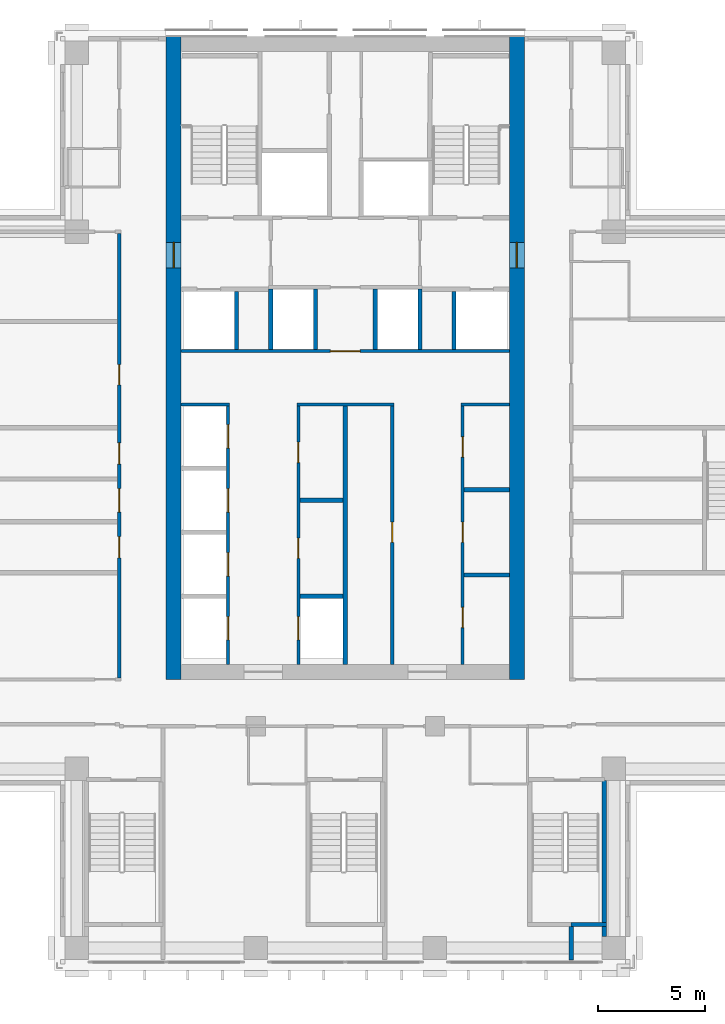
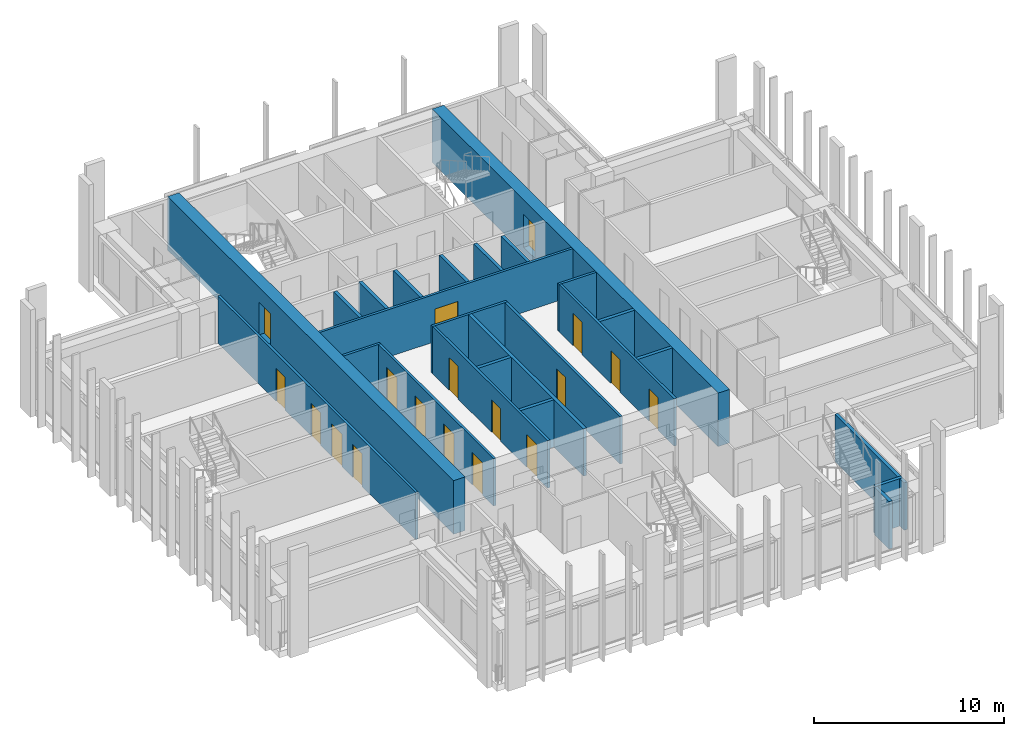
# One storey, part 10 of 16: 25 walls, 18 doors, 18 openings.
"""IFC4 building model written with IfcOpenShell, lengths in metres."""

import ifcopenshell
import ifcopenshell.guid

model = None  # the IFC model being written
_history = None  # IfcOwnerHistory: only IFC2X3 demands one
_inside = {}  # id of a spatial element -> (the spatial element, [elements in it])
_under = {}  # id of a project, library or spatial element -> (it, [spatial elements below it])
_declared = {}  # id of a project -> (the project, [libraries it declares])
_typed = {}  # id of a type object -> (the type object, [elements of that type])
_made_of = {}  # id of a material, layer set ... -> (it, [elements and type objects made of it])


def new_model(schema):
    """Start an empty IFC model of exactly this schema.

    Asked for "IFC4X3", IfcOpenShell would pick the latest addendum, in which some entities
    have other attributes; the version numbers below select the first issue.
    IFC2X3 requires an IfcOwnerHistory on every rooted entity: one is made here for all.
    """
    global model, _history
    if schema == "IFC4X3":
        model = ifcopenshell.file(schema_version=(4, 3, 0, 0))
    else:
        model = ifcopenshell.file(schema=schema)
    _inside.clear()
    _under.clear()
    _declared.clear()
    _typed.clear()
    _made_of.clear()
    _history = None
    if model.schema == "IFC2X3":
        org = make("IfcOrganization", Name="unknown")
        user = make(
            "IfcPersonAndOrganization",
            ThePerson=make("IfcPerson", FamilyName="unknown"),
            TheOrganization=org,
        )
        app = make(
            "IfcApplication",
            ApplicationDeveloper=org,
            Version="unknown",
            ApplicationFullName="unknown",
            ApplicationIdentifier="unknown",
        )
        _history = make(
            "IfcOwnerHistory",
            OwningUser=user,
            OwningApplication=app,
            ChangeAction="ADDED",
            CreationDate=0,
        )
    return model


def make(cls, **values):
    """One entity of the class cls with the attributes given. An attribute that is None is left unset."""
    return model.create_entity(
        cls, **{name: value for name, value in values.items() if value is not None}
    )


def rooted(cls, **values):
    """An entity with a GlobalId (a new one), such as an element, a storey or a relation."""
    return make(cls, GlobalId=ifcopenshell.guid.new(), OwnerHistory=_history, **values)


def si_unit(unit_type, name, prefix=None):
    """IfcSIUnit, for example si_unit("LENGTHUNIT", "METRE", prefix="MILLI")."""
    return make("IfcSIUnit", UnitType=unit_type, Prefix=prefix, Name=name)


def assignment(units):
    """IfcUnitAssignment: the units of a project."""
    return None if units is None else make("IfcUnitAssignment", Units=units)


def point(xyz):
    """IfcCartesianPoint."""
    return None if xyz is None else make("IfcCartesianPoint", Coordinates=xyz)


def direction(xyz):
    """IfcDirection."""
    return None if xyz is None else make("IfcDirection", DirectionRatios=xyz)


def frame(location, z_axis=None, x_axis=None):
    """IfcAxis2Placement3D, a coordinate frame: its origin and axes. An axis left out is left unset."""
    return make(
        "IfcAxis2Placement3D",
        Location=point(location),
        Axis=direction(z_axis),
        RefDirection=direction(x_axis),
    )


def frame_2d(location, x_axis=None):
    """IfcAxis2Placement2D, a coordinate frame in the plane: its origin and x axis."""
    return make(
        "IfcAxis2Placement2D", Location=point(location), RefDirection=direction(x_axis)
    )


def origin():
    """The frame at (0, 0, 0) with its axes left unset."""
    return frame((0.0, 0.0, 0.0))


def place(relative_to, where):
    """IfcLocalPlacement: puts the frame where relative to a parent placement (None: the world)."""
    return make(
        "IfcLocalPlacement", PlacementRelTo=relative_to, RelativePlacement=where
    )


def context(
    kind, dimensions, precision=None, world=None, true_north=None, identifier=None
):
    """IfcGeometricRepresentationContext, for example the 3D "Model" context."""
    return make(
        "IfcGeometricRepresentationContext",
        ContextIdentifier=identifier,
        ContextType=kind,
        CoordinateSpaceDimension=dimensions,
        Precision=precision,
        WorldCoordinateSystem=world,
        TrueNorth=true_north,
    )


def subcontext(parent, identifier, kind, view, scale=None):
    """IfcGeometricRepresentationSubContext, for example "Body" below "Model"."""
    return make(
        "IfcGeometricRepresentationSubContext",
        ContextIdentifier=identifier,
        ContextType=kind,
        ParentContext=parent,
        TargetScale=scale,
        TargetView=view,
    )


def project(units=None, contexts=None):
    """IfcProject with its units and contexts."""
    return rooted(
        "IfcProject",
        Name="project",
        RepresentationContexts=contexts,
        UnitsInContext=assignment(units),
    )


def spatial(cls, under=None, at=None, **own):
    """A site, building, storey or space (cls), placed at a placement, below another one or the project."""
    s = rooted(cls, ObjectPlacement=at, **own)
    if under is not None:
        _under.setdefault(under.id(), (under, []))[1].append(s)
    return s


def profile(cls, at=None, kind="AREA", **sizes):
    """A parametric profile (cls). Its sizes go by their IFC names, for example OverallWidth=200.0."""
    return make(cls, ProfileType=kind, Position=at, **sizes)


def rectangle(**sizes):
    """IfcRectangleProfileDef."""
    return profile("IfcRectangleProfileDef", **sizes)


def extrude(swept, where, along, depth):
    """IfcExtrudedAreaSolid: the profile swept, set in the frame where, extruded along a direction by depth."""
    return make(
        "IfcExtrudedAreaSolid",
        SweptArea=swept,
        Position=where,
        ExtrudedDirection=direction(along),
        Depth=depth,
    )


def shape(context_of_items, identifier, shape_type, items):
    """IfcShapeRepresentation: the items that make up one representation, for example the "Body"."""
    return make(
        "IfcShapeRepresentation",
        ContextOfItems=context_of_items,
        RepresentationIdentifier=identifier,
        RepresentationType=shape_type,
        Items=items,
    )


def material(Name=None, Category=None):
    """IfcMaterial."""
    return make("IfcMaterial", Name=Name, Category=Category)


def layer(
    of_material, thickness, ventilated=None, Name=None, Category=None, Priority=None
):
    """IfcMaterialLayer: one layer of a wall or slab, of a material (None: an air gap)."""
    return make(
        "IfcMaterialLayer",
        Material=of_material,
        LayerThickness=thickness,
        IsVentilated=ventilated,
        Name=Name,
        Category=Category,
        Priority=Priority,
    )


def layer_set(layers, Name=None):
    """IfcMaterialLayerSet."""
    return make("IfcMaterialLayerSet", MaterialLayers=layers, LayerSetName=Name)


def made_of(thing, what):
    """Note that an element or type object is made of a material, layer set ...; save() writes the relation."""
    if what is not None:
        _made_of.setdefault(what.id(), (what, []))[1].append(thing)
    return thing


def type_object(cls, material=None, **own):
    """A type object (cls), such as IfcWallType, which elements share."""
    return made_of(rooted(cls, **own), material)


def element(
    cls,
    number,
    at=None,
    inside=None,
    cuts=None,
    type_object=None,
    material=None,
    context=None,
    identifier="Body",
    shape_type=None,
    held_by="IfcProductDefinitionShape",
    body=None,
    shapes=None,
    **own,
):
    """One element of the class cls, such as IfcWall. Its Tag is "e" and its number.

    at: its placement. inside: the storey or other place that contains it. cuts: it is an
    opening in that element (IfcRelVoidsElement). A single representation is given by context,
    identifier, shape_type and body (its items); several are given by shapes. held_by: the class
    of the entity that holds the representations. save() writes the other relations.
    """
    e = rooted(cls, Tag="e%d" % number, ObjectPlacement=at, **own)
    if body is not None:
        shapes = [shape(context, identifier, shape_type, body)]
    if shapes is not None:
        e.Representation = make(held_by, Representations=shapes)
    if inside is not None:
        _inside.setdefault(inside.id(), (inside, []))[1].append(e)
    if cuts is not None:
        rooted(
            "IfcRelVoidsElement", RelatingBuildingElement=cuts, RelatedOpeningElement=e
        )
    if type_object is not None:
        _typed.setdefault(type_object.id(), (type_object, []))[1].append(e)
    return made_of(e, material)


def fill(opening, filler):
    """IfcRelFillsElement: the door or window that sits in an opening."""
    return rooted(
        "IfcRelFillsElement",
        RelatingOpeningElement=opening,
        RelatedBuildingElement=filler,
    )


def aggregate(whole, parts):
    """IfcRelAggregates: a whole, such as a stair, and the parts it consists of."""
    return rooted("IfcRelAggregates", RelatingObject=whole, RelatedObjects=parts)


def save(model, path):
    """Write the relations noted so far, then the file.

    IfcRelAggregates (storeys below a building ...), IfcRelContainedInSpatialStructure (elements
    in a storey), IfcRelDefinesByType, IfcRelAssociatesMaterial and IfcRelDeclares: one each for
    every whole, place, type object, material and project.
    """
    for whole, parts in _under.values():
        aggregate(whole, parts)
    for where, things in _inside.values():
        rooted(
            "IfcRelContainedInSpatialStructure",
            RelatedElements=things,
            RelatingStructure=where,
        )
    for kind, things in _typed.values():
        rooted("IfcRelDefinesByType", RelatedObjects=things, RelatingType=kind)
    for what, things in _made_of.values():
        rooted("IfcRelAssociatesMaterial", RelatedObjects=things, RelatingMaterial=what)
    for by, libraries in _declared.values():
        rooted("IfcRelDeclares", RelatingContext=by, RelatedDefinitions=libraries)
    model.write(path)


model = new_model("IFC4")

# Units and contexts
model_context = context("Model", 3, precision=1e-05, world=origin(), true_north=direction((0.0, 1.0)))
body_context = subcontext(model_context, "Body", "Model", "MODEL_VIEW")
ifc_project = project(units=[si_unit("LENGTHUNIT", "METRE"), si_unit("AREAUNIT", "SQUARE_METRE"), si_unit("VOLUMEUNIT", "CUBIC_METRE"), si_unit("PLANEANGLEUNIT", "RADIAN"), si_unit("MASSUNIT", "GRAM", prefix="KILO")], contexts=[model_context])

# Site, building, storey
site_placement = place(None, origin())
site = spatial("IfcSite", under=ifc_project, at=site_placement, CompositionType="ELEMENT")
building_placement = place(site_placement, origin())
building = spatial("IfcBuilding", under=site, at=building_placement, Name="Vermilion Ogive Tower", CompositionType="ELEMENT")
storey_placement = place(building_placement, frame((0.0, 0.0, 150.35009765625)))
storey = spatial("IfcBuildingStorey", under=building, at=storey_placement, Name="L38", CompositionType="ELEMENT", Elevation=150.35009765625)

# Wall, openings, doors
ifc_material_1 = material(Name="Gypsum board partition on steel studs", Category="steel")
ifc_layer_1 = layer(ifc_material_1, 0.14990234375)
ifc_layer_set_1 = layer_set([ifc_layer_1], Name="Partition 150 corridor")
wall_type_1 = type_object("IfcWallType", Name="Partition 150 corridor", PredefinedType="PARTITIONING", material=ifc_layer_set_1)
wall_1_placement = place(storey_placement, frame((-10.60009765625, -8.324951171875, 0.0), z_axis=(0.0, 0.0, 1.0), x_axis=(0.0, 1.0, 0.0)))
wall_1 = element("IfcWall", 1, at=wall_1_placement, inside=storey, type_object=wall_type_1, Name="L38-W-W043", PredefinedType="PARTITIONING", context=body_context, shape_type="SweptSolid", body=[
    extrude(rectangle(XDim=20.849853515625, YDim=0.14990234375, at=frame_2d((10.4248046875, 0.0))), origin(), (0.0, 0.0, 1.0), 3.0498046875),
])
opening_1_placement = place(wall_1_placement, frame((13.744873046875, 0.0, 0.0)))
opening_1 = element("IfcOpeningElement", 2, at=opening_1_placement, cuts=wall_1, Name="Opening D3G3003", PredefinedType="OPENING", context=body_context, shape_type="SweptSolid", body=[
    extrude(rectangle(XDim=0.949951171875, YDim=2.10009765625, at=frame_2d((0.47509765625, 1.050048828125))), frame((0.0, 0.0849609375, 0.0), z_axis=(0.0, -1.0, 0.0), x_axis=(1.0, 0.0, 0.0)), (0.0, 0.0, 1.0), 0.169921875),
])
opening_2_placement = place(wall_1_placement, frame((7.77490234375, 0.0, 0.0)))
opening_2 = element("IfcOpeningElement", 3, at=opening_2_placement, cuts=wall_1, Name="Opening D3G3027", PredefinedType="OPENING", context=body_context, shape_type="SweptSolid", body=[
    extrude(rectangle(XDim=1.10009765625, YDim=2.10009765625, at=frame_2d((0.550048828125, 1.050048828125))), frame((0.0, 0.0849609375, 0.0), z_axis=(0.0, -1.0, 0.0), x_axis=(1.0, 0.0, 0.0)), (0.0, 0.0, 1.0), 0.169921875),
])
opening_3_placement = place(wall_1_placement, frame((5.625, 0.0, 0.0)))
opening_3 = element("IfcOpeningElement", 4, at=opening_3_placement, cuts=wall_1, Name="Opening D3G3029", PredefinedType="OPENING", context=body_context, shape_type="SweptSolid", body=[
    extrude(rectangle(XDim=1.0, YDim=2.10009765625, at=frame_2d((0.5, 1.050048828125))), frame((0.0, 0.0849609375, 0.0), z_axis=(0.0, -1.0, 0.0), x_axis=(1.0, 0.0, 0.0)), (0.0, 0.0, 1.0), 0.169921875),
])
opening_4_placement = place(wall_1_placement, frame((10.02490234375, 0.0, 0.0)))
opening_4 = element("IfcOpeningElement", 5, at=opening_4_placement, cuts=wall_1, Name="Opening D3G3031", PredefinedType="OPENING", context=body_context, shape_type="SweptSolid", body=[
    extrude(rectangle(XDim=1.0, YDim=2.10009765625, at=frame_2d((0.5, 1.050048828125))), frame((0.0, 0.0849609375, 0.0), z_axis=(0.0, -1.0, 0.0), x_axis=(1.0, 0.0, 0.0)), (0.0, 0.0, 1.0), 0.169921875),
])
ifc_material_2 = material(Name="Timber door leaf", Category="wood")
door_type_1 = type_object("IfcDoorType", Name="Stair door 1100 x 2100 FD60S", OperationType="SINGLE_SWING_LEFT", PredefinedType="DOOR", material=ifc_material_2)
door_1_placement = place(opening_2_placement, origin())
door_1 = element("IfcDoor", 6, at=door_1_placement, inside=storey, type_object=door_type_1, Name="L38-D-D027", OperationType="SINGLE_SWING_LEFT", OverallHeight=2.10009765625, OverallWidth=1.10009765625, PredefinedType="DOOR", context=body_context, shape_type="SweptSolid", body=[
    extrude(rectangle(XDim=1.10009765625, YDim=2.10009765625, at=frame_2d((0.550048828125, 1.050048828125))), frame((0.0, 0.02490234375, 0.0), z_axis=(0.0, -1.0, 0.0), x_axis=(1.0, 0.0, 0.0)), (0.0, 0.0, 1.0), 0.050048828125),
])
fill(opening_2, door_1)
ifc_material_3 = material(Name="Timber door leaf", Category="wood")
door_type_2 = type_object("IfcDoorType", Name="Unit door 1000 x 2100 FD30S", OperationType="SINGLE_SWING_LEFT", PredefinedType="DOOR", material=ifc_material_3)
door_2_placement = place(opening_3_placement, origin())
door_2 = element("IfcDoor", 7, at=door_2_placement, inside=storey, type_object=door_type_2, Name="L38-D-D029", OperationType="SINGLE_SWING_RIGHT", OverallHeight=2.10009765625, OverallWidth=1.0, PredefinedType="DOOR", context=body_context, shape_type="SweptSolid", body=[
    extrude(rectangle(XDim=1.0, YDim=2.10009765625, at=frame_2d((0.5, 1.050048828125))), frame((0.0, 0.02490234375, 0.0), z_axis=(0.0, -1.0, 0.0), x_axis=(1.0, 0.0, 0.0)), (0.0, 0.0, 1.0), 0.050048828125),
])
fill(opening_3, door_2)
door_3_placement = place(opening_4_placement, origin())
door_3 = element("IfcDoor", 8, at=door_3_placement, inside=storey, type_object=door_type_2, Name="L38-D-D031", OperationType="SINGLE_SWING_LEFT", OverallHeight=2.10009765625, OverallWidth=1.0, PredefinedType="DOOR", context=body_context, shape_type="SweptSolid", body=[
    extrude(rectangle(XDim=1.0, YDim=2.10009765625, at=frame_2d((0.5, 1.050048828125))), frame((0.0, 0.02490234375, 0.0), z_axis=(0.0, -1.0, 0.0), x_axis=(1.0, 0.0, 0.0)), (0.0, 0.0, 1.0), 0.050048828125),
])
fill(opening_4, door_3)
ifc_material_4 = material(Name="Timber door leaf", Category="wood")
door_type_3 = type_object("IfcDoorType", Name="Unit door 950 x 2100 FD30S", OperationType="SINGLE_SWING_LEFT", PredefinedType="DOOR", material=ifc_material_4)
door_4_placement = place(opening_1_placement, origin())
door_4 = element("IfcDoor", 9, at=door_4_placement, inside=storey, type_object=door_type_3, Name="L38-D-D003", OperationType="SINGLE_SWING_LEFT", OverallHeight=2.10009765625, OverallWidth=0.949951171875, PredefinedType="DOOR", context=body_context, shape_type="SweptSolid", body=[
    extrude(rectangle(XDim=0.949951171875, YDim=2.10009765625, at=frame_2d((0.47509765625, 1.050048828125))), frame((0.0, 0.02490234375, 0.0), z_axis=(0.0, -1.0, 0.0), x_axis=(1.0, 0.0, 0.0)), (0.0, 0.0, 1.0), 0.050048828125),
])
fill(opening_1, door_4)

# Walls
wall_2_placement = place(storey_placement, frame((-7.698974609375, 4.5, 0.0), z_axis=(0.0, 0.0, 1.0), x_axis=(1.0, 0.0, 0.0)))
element("IfcWall", 10, at=wall_2_placement, inside=storey, type_object=wall_type_1, Name="L38-CK-W-W008", PredefinedType="PARTITIONING", context=body_context, shape_type="SweptSolid", body=[
    extrude(rectangle(XDim=2.27392578125, YDim=0.14990234375, at=frame_2d((1.136962890625, 0.0))), origin(), (0.0, 0.0, 1.0), 3.0498046875),
])
wall_3_placement = place(storey_placement, frame((-2.27490234375, 4.5, 0.0), z_axis=(0.0, 0.0, 1.0), x_axis=(1.0, 0.0, 0.0)))
element("IfcWall", 11, at=wall_3_placement, inside=storey, type_object=wall_type_1, Name="L38-CK-W-W009", PredefinedType="PARTITIONING", context=body_context, shape_type="SweptSolid", body=[
    extrude(rectangle(XDim=4.5498046875, YDim=0.14990234375, at=frame_2d((2.27490234375, 0.0))), origin(), (0.0, 0.0, 1.0), 3.0498046875),
])
wall_4_placement = place(storey_placement, frame((5.425048828125, 4.5, 0.0), z_axis=(0.0, 0.0, 1.0), x_axis=(1.0, 0.0, 0.0)))
element("IfcWall", 12, at=wall_4_placement, inside=storey, type_object=wall_type_1, Name="L38-CK-W-W010", PredefinedType="PARTITIONING", context=body_context, shape_type="SweptSolid", body=[
    extrude(rectangle(XDim=2.27392578125, YDim=0.14990234375, at=frame_2d((1.136962890625, 0.0))), origin(), (0.0, 0.0, 1.0), 3.0498046875),
])

# Wall, opening, door
wall_5_placement = place(storey_placement, frame((-7.698974609375, 7.0, 0.0), z_axis=(0.0, 0.0, 1.0), x_axis=(1.0, 0.0, 0.0)))
wall_5 = element("IfcWall", 13, at=wall_5_placement, inside=storey, type_object=wall_type_1, Name="L38-CK-W-W011", PredefinedType="PARTITIONING", context=body_context, shape_type="SweptSolid", body=[
    extrude(rectangle(XDim=15.39794921875, YDim=0.14990234375, at=frame_2d((7.698974609375, 0.0))), origin(), (0.0, 0.0, 1.0), 3.0498046875),
])
opening_5_placement = place(wall_5_placement, frame((6.9990234375, 0.0, 0.0)))
opening_5 = element("IfcOpeningElement", 14, at=opening_5_placement, cuts=wall_5, Name="Opening DAA325", PredefinedType="OPENING", context=body_context, shape_type="SweptSolid", body=[
    extrude(rectangle(XDim=1.39990234375, YDim=2.10009765625, at=frame_2d((0.699951171875, 1.050048828125))), frame((0.0, 0.0849609375, 0.0), z_axis=(0.0, -1.0, 0.0), x_axis=(1.0, 0.0, 0.0)), (0.0, 0.0, 1.0), 0.169921875),
])
ifc_material_5 = material(Name="Timber door leaf", Category="wood")
door_type_4 = type_object("IfcDoorType", Name="Lobby door 1400 x 2100 FD60S", OperationType="SINGLE_SWING_LEFT", PredefinedType="DOOR", material=ifc_material_5)
door_5_placement = place(opening_5_placement, origin())
door_5 = element("IfcDoor", 15, at=door_5_placement, inside=storey, type_object=door_type_4, Name="L38-CK-D-D016", OperationType="SINGLE_SWING_RIGHT", OverallHeight=2.10009765625, OverallWidth=1.39990234375, PredefinedType="DOOR", context=body_context, shape_type="SweptSolid", body=[
    extrude(rectangle(XDim=1.39990234375, YDim=2.10009765625, at=frame_2d((0.699951171875, 1.050048828125))), frame((0.0, 0.02490234375, 0.0), z_axis=(0.0, -1.0, 0.0), x_axis=(1.0, 0.0, 0.0)), (0.0, 0.0, 1.0), 0.050048828125),
])
fill(opening_5, door_5)

# Wall, openings, doors
wall_6_placement = place(storey_placement, frame((-5.5, -7.698974609375, 0.0), z_axis=(0.0, 0.0, 1.0), x_axis=(0.0, 1.0, 0.0)))
wall_6 = element("IfcWall", 16, at=wall_6_placement, inside=storey, type_object=wall_type_1, Name="L38-CK-W-W020", PredefinedType="PARTITIONING", context=body_context, shape_type="SweptSolid", body=[
    extrude(rectangle(XDim=12.1240234375, YDim=0.14990234375, at=frame_2d((6.06201171875, 0.0))), origin(), (0.0, 0.0, 1.0), 3.0498046875),
])
opening_6_placement = place(wall_6_placement, frame((1.14892578125, 0.0, 0.0)))
opening_6 = element("IfcOpeningElement", 17, at=opening_6_placement, cuts=wall_6, Name="Opening DAA338", PredefinedType="OPENING", context=body_context, shape_type="SweptSolid", body=[
    extrude(rectangle(XDim=1.10009765625, YDim=2.10009765625, at=frame_2d((0.550048828125, 1.050048828125))), frame((0.0, 0.0849609375, 0.0), z_axis=(0.0, -1.0, 0.0), x_axis=(1.0, 0.0, 0.0)), (0.0, 0.0, 1.0), 0.169921875),
])
opening_7_placement = place(wall_6_placement, frame((4.14892578125, 0.0, 0.0)))
opening_7 = element("IfcOpeningElement", 18, at=opening_7_placement, cuts=wall_6, Name="Opening DAA339", PredefinedType="OPENING", context=body_context, shape_type="SweptSolid", body=[
    extrude(rectangle(XDim=1.10009765625, YDim=2.10009765625, at=frame_2d((0.550048828125, 1.050048828125))), frame((0.0, 0.0849609375, 0.0), z_axis=(0.0, -1.0, 0.0), x_axis=(1.0, 0.0, 0.0)), (0.0, 0.0, 1.0), 0.169921875),
])
opening_8_placement = place(wall_6_placement, frame((7.14892578125, 0.0, 0.0)))
opening_8 = element("IfcOpeningElement", 19, at=opening_8_placement, cuts=wall_6, Name="Opening DAA340", PredefinedType="OPENING", context=body_context, shape_type="SweptSolid", body=[
    extrude(rectangle(XDim=1.10009765625, YDim=2.10009765625, at=frame_2d((0.550048828125, 1.050048828125))), frame((0.0, 0.0849609375, 0.0), z_axis=(0.0, -1.0, 0.0), x_axis=(1.0, 0.0, 0.0)), (0.0, 0.0, 1.0), 0.169921875),
])
opening_9_placement = place(wall_6_placement, frame((10.14892578125, 0.0, 0.0)))
opening_9 = element("IfcOpeningElement", 20, at=opening_9_placement, cuts=wall_6, Name="Opening DAA341", PredefinedType="OPENING", context=body_context, shape_type="SweptSolid", body=[
    extrude(rectangle(XDim=1.10009765625, YDim=2.10009765625, at=frame_2d((0.550048828125, 1.050048828125))), frame((0.0, 0.0849609375, 0.0), z_axis=(0.0, -1.0, 0.0), x_axis=(1.0, 0.0, 0.0)), (0.0, 0.0, 1.0), 0.169921875),
])
ifc_material_6 = material(Name="Stainless steel", Category="steel")
door_type_5 = type_object("IfcDoorType", Name="Lift landing door 1100 x 2100", OperationType="SLIDING_TO_LEFT", PredefinedType="DOOR", material=ifc_material_6)
door_6_placement = place(opening_6_placement, origin())
door_6 = element("IfcDoor", 21, at=door_6_placement, inside=storey, type_object=door_type_5, Name="L38-CK-D-D001", OperationType="SLIDING_TO_LEFT", OverallHeight=2.10009765625, OverallWidth=1.10009765625, PredefinedType="DOOR", context=body_context, shape_type="SweptSolid", body=[
    extrude(rectangle(XDim=1.10009765625, YDim=2.10009765625, at=frame_2d((0.550048828125, 1.050048828125))), frame((0.0, 0.02490234375, 0.0), z_axis=(0.0, -1.0, 0.0), x_axis=(1.0, 0.0, 0.0)), (0.0, 0.0, 1.0), 0.050048828125),
])
fill(opening_6, door_6)
door_7_placement = place(opening_7_placement, origin())
door_7 = element("IfcDoor", 22, at=door_7_placement, inside=storey, type_object=door_type_5, Name="L38-CK-D-D002", OperationType="SLIDING_TO_LEFT", OverallHeight=2.10009765625, OverallWidth=1.10009765625, PredefinedType="DOOR", context=body_context, shape_type="SweptSolid", body=[
    extrude(rectangle(XDim=1.10009765625, YDim=2.10009765625, at=frame_2d((0.550048828125, 1.050048828125))), frame((0.0, 0.02490234375, 0.0), z_axis=(0.0, -1.0, 0.0), x_axis=(1.0, 0.0, 0.0)), (0.0, 0.0, 1.0), 0.050048828125),
])
fill(opening_7, door_7)
door_8_placement = place(opening_8_placement, origin())
door_8 = element("IfcDoor", 23, at=door_8_placement, inside=storey, type_object=door_type_5, Name="L38-CK-D-D003", OperationType="SLIDING_TO_LEFT", OverallHeight=2.10009765625, OverallWidth=1.10009765625, PredefinedType="DOOR", context=body_context, shape_type="SweptSolid", body=[
    extrude(rectangle(XDim=1.10009765625, YDim=2.10009765625, at=frame_2d((0.550048828125, 1.050048828125))), frame((0.0, 0.02490234375, 0.0), z_axis=(0.0, -1.0, 0.0), x_axis=(1.0, 0.0, 0.0)), (0.0, 0.0, 1.0), 0.050048828125),
])
fill(opening_8, door_8)
door_9_placement = place(opening_9_placement, origin())
door_9 = element("IfcDoor", 24, at=door_9_placement, inside=storey, type_object=door_type_5, Name="L38-CK-D-D004", OperationType="SLIDING_TO_LEFT", OverallHeight=2.10009765625, OverallWidth=1.10009765625, PredefinedType="DOOR", context=body_context, shape_type="SweptSolid", body=[
    extrude(rectangle(XDim=1.10009765625, YDim=2.10009765625, at=frame_2d((0.550048828125, 1.050048828125))), frame((0.0, 0.02490234375, 0.0), z_axis=(0.0, -1.0, 0.0), x_axis=(1.0, 0.0, 0.0)), (0.0, 0.0, 1.0), 0.050048828125),
])
fill(opening_9, door_9)

wall_7_placement = place(storey_placement, frame((-2.199951171875, -7.698974609375, 0.0), z_axis=(0.0, 0.0, 1.0), x_axis=(0.0, 1.0, 0.0)))
wall_7 = element("IfcWall", 25, at=wall_7_placement, inside=storey, type_object=wall_type_1, Name="L38-CK-W-W025", PredefinedType="PARTITIONING", context=body_context, shape_type="SweptSolid", body=[
    extrude(rectangle(XDim=12.1240234375, YDim=0.14990234375, at=frame_2d((6.06201171875, 0.0))), origin(), (0.0, 0.0, 1.0), 3.0498046875),
])
opening_10_placement = place(wall_7_placement, frame((1.14892578125, 0.0, 0.0)))
opening_10 = element("IfcOpeningElement", 26, at=opening_10_placement, cuts=wall_7, Name="Opening DAA342", PredefinedType="OPENING", context=body_context, shape_type="SweptSolid", body=[
    extrude(rectangle(XDim=1.10009765625, YDim=2.10009765625, at=frame_2d((0.550048828125, 1.050048828125))), frame((0.0, 0.0849609375, 0.0), z_axis=(0.0, -1.0, 0.0), x_axis=(1.0, 0.0, 0.0)), (0.0, 0.0, 1.0), 0.169921875),
])
opening_11_placement = place(wall_7_placement, frame((4.973876953125, 0.0, 0.0)))
opening_11 = element("IfcOpeningElement", 27, at=opening_11_placement, cuts=wall_7, Name="Opening DAA328", PredefinedType="OPENING", context=body_context, shape_type="SweptSolid", body=[
    extrude(rectangle(XDim=0.949951171875, YDim=2.10009765625, at=frame_2d((0.47509765625, 1.050048828125))), frame((0.0, 0.0849609375, 0.0), z_axis=(0.0, -1.0, 0.0), x_axis=(1.0, 0.0, 0.0)), (0.0, 0.0, 1.0), 0.169921875),
])
opening_12_placement = place(wall_7_placement, frame((9.473876953125, 0.0, 0.0)))
opening_12 = element("IfcOpeningElement", 28, at=opening_12_placement, cuts=wall_7, Name="Opening DAA329", PredefinedType="OPENING", context=body_context, shape_type="SweptSolid", body=[
    extrude(rectangle(XDim=0.949951171875, YDim=2.10009765625, at=frame_2d((0.47509765625, 1.050048828125))), frame((0.0, 0.0849609375, 0.0), z_axis=(0.0, -1.0, 0.0), x_axis=(1.0, 0.0, 0.0)), (0.0, 0.0, 1.0), 0.169921875),
])
door_10_placement = place(opening_10_placement, origin())
door_10 = element("IfcDoor", 29, at=door_10_placement, inside=storey, type_object=door_type_5, Name="L38-CK-D-D005", OperationType="SLIDING_TO_LEFT", OverallHeight=2.10009765625, OverallWidth=1.10009765625, PredefinedType="DOOR", context=body_context, shape_type="SweptSolid", body=[
    extrude(rectangle(XDim=1.10009765625, YDim=2.10009765625, at=frame_2d((0.550048828125, 1.050048828125))), frame((0.0, 0.02490234375, 0.0), z_axis=(0.0, -1.0, 0.0), x_axis=(1.0, 0.0, 0.0)), (0.0, 0.0, 1.0), 0.050048828125),
])
fill(opening_10, door_10)
ifc_material_7 = material(Name="Timber door leaf", Category="wood")
door_type_6 = type_object("IfcDoorType", Name="Service door 950 x 2100 FD60", OperationType="SINGLE_SWING_LEFT", PredefinedType="DOOR", material=ifc_material_7)
door_11_placement = place(opening_11_placement, origin())
door_11 = element("IfcDoor", 30, at=door_11_placement, inside=storey, type_object=door_type_6, Name="L38-CK-D-D006", OperationType="SINGLE_SWING_LEFT", OverallHeight=2.10009765625, OverallWidth=0.949951171875, PredefinedType="DOOR", context=body_context, shape_type="SweptSolid", body=[
    extrude(rectangle(XDim=0.949951171875, YDim=2.10009765625, at=frame_2d((0.47509765625, 1.050048828125))), frame((0.0, 0.02490234375, 0.0), z_axis=(0.0, -1.0, 0.0), x_axis=(1.0, 0.0, 0.0)), (0.0, 0.0, 1.0), 0.050048828125),
])
fill(opening_11, door_11)
door_12_placement = place(opening_12_placement, origin())
door_12 = element("IfcDoor", 31, at=door_12_placement, inside=storey, type_object=door_type_6, Name="L38-CK-D-D007", OperationType="SINGLE_SWING_RIGHT", OverallHeight=2.10009765625, OverallWidth=0.949951171875, PredefinedType="DOOR", context=body_context, shape_type="SweptSolid", body=[
    extrude(rectangle(XDim=0.949951171875, YDim=2.10009765625, at=frame_2d((0.47509765625, 1.050048828125))), frame((0.0, 0.02490234375, 0.0), z_axis=(0.0, -1.0, 0.0), x_axis=(1.0, 0.0, 0.0)), (0.0, 0.0, 1.0), 0.050048828125),
])
fill(opening_12, door_12)

# Wall, opening, door
wall_8_placement = place(storey_placement, frame((2.199951171875, -7.698974609375, 0.0), z_axis=(0.0, 0.0, 1.0), x_axis=(0.0, 1.0, 0.0)))
wall_8 = element("IfcWall", 32, at=wall_8_placement, inside=storey, type_object=wall_type_1, Name="L38-CK-W-W032", PredefinedType="PARTITIONING", context=body_context, shape_type="SweptSolid", body=[
    extrude(rectangle(XDim=12.1240234375, YDim=0.14990234375, at=frame_2d((6.06201171875, 0.0))), origin(), (0.0, 0.0, 1.0), 3.0498046875),
])
opening_13_placement = place(wall_8_placement, frame((5.723876953125, 0.0, 0.0)))
opening_13 = element("IfcOpeningElement", 33, at=opening_13_placement, cuts=wall_8, Name="Opening DAA330", PredefinedType="OPENING", context=body_context, shape_type="SweptSolid", body=[
    extrude(rectangle(XDim=0.949951171875, YDim=2.10009765625, at=frame_2d((0.47509765625, 1.050048828125))), frame((0.0, 0.0849609375, 0.0), z_axis=(0.0, -1.0, 0.0), x_axis=(1.0, 0.0, 0.0)), (0.0, 0.0, 1.0), 0.169921875),
])
door_13_placement = place(opening_13_placement, origin())
door_13 = element("IfcDoor", 34, at=door_13_placement, inside=storey, type_object=door_type_6, Name="L38-CK-D-D008", OperationType="SINGLE_SWING_RIGHT", OverallHeight=2.10009765625, OverallWidth=0.949951171875, PredefinedType="DOOR", context=body_context, shape_type="SweptSolid", body=[
    extrude(rectangle(XDim=0.949951171875, YDim=2.10009765625, at=frame_2d((0.47509765625, 1.050048828125))), frame((0.0, 0.02490234375, 0.0), z_axis=(0.0, -1.0, 0.0), x_axis=(1.0, 0.0, 0.0)), (0.0, 0.0, 1.0), 0.050048828125),
])
fill(opening_13, door_13)

# Wall, openings, doors
wall_9_placement = place(storey_placement, frame((5.5, -7.698974609375, 0.0), z_axis=(0.0, 0.0, 1.0), x_axis=(0.0, 1.0, 0.0)))
wall_9 = element("IfcWall", 35, at=wall_9_placement, inside=storey, type_object=wall_type_1, Name="L38-CK-W-W038", PredefinedType="PARTITIONING", context=body_context, shape_type="SweptSolid", body=[
    extrude(rectangle(XDim=12.1240234375, YDim=0.14990234375, at=frame_2d((6.06201171875, 0.0))), origin(), (0.0, 0.0, 1.0), 3.0498046875),
])
opening_14_placement = place(wall_9_placement, frame((1.723876953125, 0.0, 0.0)))
opening_14 = element("IfcOpeningElement", 36, at=opening_14_placement, cuts=wall_9, Name="Opening DAA331", PredefinedType="OPENING", context=body_context, shape_type="SweptSolid", body=[
    extrude(rectangle(XDim=0.949951171875, YDim=2.10009765625, at=frame_2d((0.47509765625, 1.050048828125))), frame((0.0, 0.0849609375, 0.0), z_axis=(0.0, -1.0, 0.0), x_axis=(1.0, 0.0, 0.0)), (0.0, 0.0, 1.0), 0.169921875),
])
opening_15_placement = place(wall_9_placement, frame((5.723876953125, 0.0, 0.0)))
opening_15 = element("IfcOpeningElement", 37, at=opening_15_placement, cuts=wall_9, Name="Opening DAA332", PredefinedType="OPENING", context=body_context, shape_type="SweptSolid", body=[
    extrude(rectangle(XDim=0.949951171875, YDim=2.10009765625, at=frame_2d((0.47509765625, 1.050048828125))), frame((0.0, 0.0849609375, 0.0), z_axis=(0.0, -1.0, 0.0), x_axis=(1.0, 0.0, 0.0)), (0.0, 0.0, 1.0), 0.169921875),
])
opening_16_placement = place(wall_9_placement, frame((9.723876953125, 0.0, 0.0)))
opening_16 = element("IfcOpeningElement", 38, at=opening_16_placement, cuts=wall_9, Name="Opening DAA333", PredefinedType="OPENING", context=body_context, shape_type="SweptSolid", body=[
    extrude(rectangle(XDim=0.949951171875, YDim=2.10009765625, at=frame_2d((0.47509765625, 1.050048828125))), frame((0.0, 0.0849609375, 0.0), z_axis=(0.0, -1.0, 0.0), x_axis=(1.0, 0.0, 0.0)), (0.0, 0.0, 1.0), 0.169921875),
])
door_14_placement = place(opening_14_placement, origin())
door_14 = element("IfcDoor", 39, at=door_14_placement, inside=storey, type_object=door_type_6, Name="L38-CK-D-D009", OperationType="SINGLE_SWING_LEFT", OverallHeight=2.10009765625, OverallWidth=0.949951171875, PredefinedType="DOOR", context=body_context, shape_type="SweptSolid", body=[
    extrude(rectangle(XDim=0.949951171875, YDim=2.10009765625, at=frame_2d((0.47509765625, 1.050048828125))), frame((0.0, 0.02490234375, 0.0), z_axis=(0.0, -1.0, 0.0), x_axis=(1.0, 0.0, 0.0)), (0.0, 0.0, 1.0), 0.050048828125),
])
fill(opening_14, door_14)
door_15_placement = place(opening_15_placement, origin())
door_15 = element("IfcDoor", 40, at=door_15_placement, inside=storey, type_object=door_type_6, Name="L38-CK-D-D010", OperationType="SINGLE_SWING_LEFT", OverallHeight=2.10009765625, OverallWidth=0.949951171875, PredefinedType="DOOR", context=body_context, shape_type="SweptSolid", body=[
    extrude(rectangle(XDim=0.949951171875, YDim=2.10009765625, at=frame_2d((0.47509765625, 1.050048828125))), frame((0.0, 0.02490234375, 0.0), z_axis=(0.0, -1.0, 0.0), x_axis=(1.0, 0.0, 0.0)), (0.0, 0.0, 1.0), 0.050048828125),
])
fill(opening_15, door_15)
door_16_placement = place(opening_16_placement, origin())
door_16 = element("IfcDoor", 41, at=door_16_placement, inside=storey, type_object=door_type_6, Name="L38-CK-D-D011", OperationType="SINGLE_SWING_RIGHT", OverallHeight=2.10009765625, OverallWidth=0.949951171875, PredefinedType="DOOR", context=body_context, shape_type="SweptSolid", body=[
    extrude(rectangle(XDim=0.949951171875, YDim=2.10009765625, at=frame_2d((0.47509765625, 1.050048828125))), frame((0.0, 0.02490234375, 0.0), z_axis=(0.0, -1.0, 0.0), x_axis=(1.0, 0.0, 0.0)), (0.0, 0.0, 1.0), 0.050048828125),
])
fill(opening_16, door_16)

# Walls
ifc_material_8 = material(Name="Gypsum board partition on steel studs", Category="steel")
ifc_layer_2 = layer(ifc_material_8, 0.199951171875)
ifc_layer_set_2 = layer_set([ifc_layer_2], Name="Partition 200 party")
wall_type_2 = type_object("IfcWallType", Name="Partition 200 party", PredefinedType="PARTITIONING", material=ifc_layer_set_2)
wall_10_placement = place(storey_placement, frame((10.60009765625, -21.550048828125, 0.0), z_axis=(0.0, 0.0, 1.0), x_axis=(0.0, 1.0, 0.0)))
element("IfcWall", 42, at=wall_10_placement, inside=storey, type_object=wall_type_2, Name="L38-W-W056", PredefinedType="PARTITIONING", context=body_context, shape_type="SweptSolid", body=[
    extrude(rectangle(XDim=1.548095703125, YDim=0.199951171875, at=frame_2d((0.77392578125, 0.0))), origin(), (0.0, 0.0, 1.0), 3.0498046875),
])
wall_11_placement = place(storey_placement, frame((-2.125, -4.5, 0.0), z_axis=(0.0, 0.0, 1.0), x_axis=(1.0, 0.0, 0.0)))
element("IfcWall", 43, at=wall_11_placement, inside=storey, type_object=wall_type_2, Name="L38-CK-W-W002", PredefinedType="PARTITIONING", context=body_context, shape_type="SweptSolid", body=[
    extrude(rectangle(XDim=2.02490234375, YDim=0.199951171875, at=frame_2d((1.012451171875, 0.0))), origin(), (0.0, 0.0, 1.0), 3.0498046875),
])
wall_12_placement = place(storey_placement, frame((5.574951171875, -3.5, 0.0), z_axis=(0.0, 0.0, 1.0), x_axis=(1.0, 0.0, 0.0)))
element("IfcWall", 44, at=wall_12_placement, inside=storey, type_object=wall_type_2, Name="L38-CK-W-W003", PredefinedType="PARTITIONING", context=body_context, shape_type="SweptSolid", body=[
    extrude(rectangle(XDim=2.1240234375, YDim=0.199951171875, at=frame_2d((1.06201171875, 0.0))), origin(), (0.0, 0.0, 1.0), 3.0498046875),
])
wall_13_placement = place(storey_placement, frame((-2.125, 0.0, 0.0), z_axis=(0.0, 0.0, 1.0), x_axis=(1.0, 0.0, 0.0)))
element("IfcWall", 45, at=wall_13_placement, inside=storey, type_object=wall_type_2, Name="L38-CK-W-W005", PredefinedType="PARTITIONING", context=body_context, shape_type="SweptSolid", body=[
    extrude(rectangle(XDim=2.02490234375, YDim=0.199951171875, at=frame_2d((1.012451171875, 0.0))), origin(), (0.0, 0.0, 1.0), 3.0498046875),
])
wall_14_placement = place(storey_placement, frame((5.574951171875, 0.5, 0.0), z_axis=(0.0, 0.0, 1.0), x_axis=(1.0, 0.0, 0.0)))
element("IfcWall", 46, at=wall_14_placement, inside=storey, type_object=wall_type_2, Name="L38-CK-W-W006", PredefinedType="PARTITIONING", context=body_context, shape_type="SweptSolid", body=[
    extrude(rectangle(XDim=2.1240234375, YDim=0.199951171875, at=frame_2d((1.06201171875, 0.0))), origin(), (0.0, 0.0, 1.0), 3.0498046875),
])
wall_15_placement = place(storey_placement, frame((-5.10009765625, 7.074951171875, 0.0), z_axis=(0.0, 0.0, 1.0), x_axis=(0.0, 1.0, 0.0)))
element("IfcWall", 47, at=wall_15_placement, inside=storey, type_object=wall_type_2, Name="L38-CK-W-W021", PredefinedType="PARTITIONING", context=body_context, shape_type="SweptSolid", body=[
    extrude(rectangle(XDim=2.72509765625, YDim=0.199951171875, at=frame_2d((1.362548828125, 0.0))), origin(), (0.0, 0.0, 1.0), 3.0498046875),
])
for number, where, z_axis, x_axis, name in (
    (48, (-3.5, 7.074951171875, 0.0), (0.0, 0.0, 1.0), (0.0, 1.0, 0.0), "L38-CK-W-W023"),
    (49, (-1.39990234375, 7.074951171875, 0.0), (0.0, 0.0, 1.0), (0.0, 1.0, 0.0), "L38-CK-W-W026"),
):
    element("IfcWall", number, at=place(storey_placement, frame(where, z_axis=z_axis, x_axis=x_axis)), inside=storey, type_object=wall_type_2, Name=name, PredefinedType="PARTITIONING", context=body_context, shape_type="SweptSolid", body=[
        extrude(rectangle(XDim=2.85009765625, YDim=0.199951171875, at=frame_2d((1.425048828125, 0.0))), origin(), (0.0, 0.0, 1.0), 3.0498046875),
    ])
wall_16_placement = place(storey_placement, frame((0.0, -7.698974609375, 0.0), z_axis=(0.0, 0.0, 1.0), x_axis=(0.0, 1.0, 0.0)))
element("IfcWall", 50, at=wall_16_placement, inside=storey, type_object=wall_type_2, Name="L38-CK-W-W028", PredefinedType="PARTITIONING", context=body_context, shape_type="SweptSolid", body=[
    extrude(rectangle(XDim=12.1240234375, YDim=0.199951171875, at=frame_2d((6.06201171875, 0.0))), origin(), (0.0, 0.0, 1.0), 3.0498046875),
])
for number, where, z_axis, x_axis, name in (
    (51, (1.39990234375, 7.074951171875, 0.0), (0.0, 0.0, 1.0), (0.0, 1.0, 0.0), "L38-CK-W-W031"),
    (52, (3.5, 7.074951171875, 0.0), (0.0, 0.0, 1.0), (0.0, 1.0, 0.0), "L38-CK-W-W033"),
):
    element("IfcWall", number, at=place(storey_placement, frame(where, z_axis=z_axis, x_axis=x_axis)), inside=storey, type_object=wall_type_2, Name=name, PredefinedType="PARTITIONING", context=body_context, shape_type="SweptSolid", body=[
        extrude(rectangle(XDim=2.85009765625, YDim=0.199951171875, at=frame_2d((1.425048828125, 0.0))), origin(), (0.0, 0.0, 1.0), 3.0498046875),
    ])
wall_17_placement = place(storey_placement, frame((5.10009765625, 7.074951171875, 0.0), z_axis=(0.0, 0.0, 1.0), x_axis=(0.0, 1.0, 0.0)))
element("IfcWall", 53, at=wall_17_placement, inside=storey, type_object=wall_type_2, Name="L38-CK-W-W037", PredefinedType="PARTITIONING", context=body_context, shape_type="SweptSolid", body=[
    extrude(rectangle(XDim=2.72509765625, YDim=0.199951171875, at=frame_2d((1.362548828125, 0.0))), origin(), (0.0, 0.0, 1.0), 3.0498046875),
])

# Wall, opening, door
ifc_material_9 = material(Name="Concrete B60", Category="concrete")
ifc_layer_3 = layer(ifc_material_9, 0.199951171875)
ifc_layer_set_3 = layer_set([ifc_layer_3], Name="Stair shaft wall 200 Concrete B60")
wall_type_3 = type_object("IfcWallType", Name="Stair shaft wall 200 Concrete B60", PredefinedType="SOLIDWALL", material=ifc_layer_set_3)
wall_18_placement = place(storey_placement, frame((8.050048828125, -8.39990234375, -0.400146484375), z_axis=(0.0, 0.0, 1.0), x_axis=(0.0, 1.0, 0.0)))
wall_18 = element("IfcWall", 54, at=wall_18_placement, inside=storey, type_object=wall_type_3, Name="L38-CORE-E", PredefinedType="SOLIDWALL", context=body_context, shape_type="SweptSolid", body=[
    extrude(rectangle(XDim=30.14990234375, YDim=0.699951171875, at=frame_2d((15.074951171875, 0.0))), origin(), (0.0, 0.0, 1.0), 3.449951171875),
])
opening_17_placement = place(wall_18_placement, frame((19.300048828125, 0.0, 0.39990234375)))
opening_17 = element("IfcOpeningElement", 55, at=opening_17_placement, cuts=wall_18, Name="Opening DAL015", PredefinedType="OPENING", context=body_context, shape_type="SweptSolid", body=[
    extrude(rectangle(XDim=1.199951171875, YDim=2.10009765625, at=frame_2d((0.60009765625, 1.050048828125))), frame((0.0, 0.35986328125, 0.0), z_axis=(0.0, -1.0, 0.0), x_axis=(1.0, 0.0, 0.0)), (0.0, 0.0, 1.0), 0.719970703125),
])
ifc_material_10 = material(Name="Timber door leaf", Category="wood")
door_type_7 = type_object("IfcDoorType", Name="Link door 1200 x 2100 FD60S", OperationType="SINGLE_SWING_LEFT", PredefinedType="DOOR", material=ifc_material_10)
door_17_placement = place(opening_17_placement, origin())
door_17 = element("IfcDoor", 56, at=door_17_placement, inside=storey, type_object=door_type_7, Name="L38-CK-XD4", OperationType="SINGLE_SWING_LEFT", OverallHeight=2.10009765625, OverallWidth=1.199951171875, PredefinedType="DOOR", context=body_context, shape_type="SweptSolid", body=[
    extrude(rectangle(XDim=1.199951171875, YDim=2.10009765625, at=frame_2d((0.60009765625, 1.050048828125))), frame((0.0, 0.02490234375, 0.0), z_axis=(0.0, -1.0, 0.0), x_axis=(1.0, 0.0, 0.0)), (0.0, 0.0, 1.0), 0.050048828125),
])
fill(opening_17, door_17)

wall_19_placement = place(storey_placement, frame((-8.050048828125, -8.39990234375, -0.400146484375), z_axis=(0.0, 0.0, 1.0), x_axis=(0.0, 1.0, 0.0)))
wall_19 = element("IfcWall", 57, at=wall_19_placement, inside=storey, type_object=wall_type_3, Name="L38-CORE-W", PredefinedType="SOLIDWALL", context=body_context, shape_type="SweptSolid", body=[
    extrude(rectangle(XDim=30.14990234375, YDim=0.699951171875, at=frame_2d((15.074951171875, 0.0))), origin(), (0.0, 0.0, 1.0), 3.449951171875),
])
opening_18_placement = place(wall_19_placement, frame((19.300048828125, 0.0, 0.39990234375)))
opening_18 = element("IfcOpeningElement", 58, at=opening_18_placement, cuts=wall_19, Name="Opening DAM015", PredefinedType="OPENING", context=body_context, shape_type="SweptSolid", body=[
    extrude(rectangle(XDim=1.199951171875, YDim=2.10009765625, at=frame_2d((0.60009765625, 1.050048828125))), frame((0.0, 0.35986328125, 0.0), z_axis=(0.0, -1.0, 0.0), x_axis=(1.0, 0.0, 0.0)), (0.0, 0.0, 1.0), 0.719970703125),
])
door_18_placement = place(opening_18_placement, origin())
door_18 = element("IfcDoor", 59, at=door_18_placement, inside=storey, type_object=door_type_7, Name="L38-CK-XD3", OperationType="SINGLE_SWING_LEFT", OverallHeight=2.10009765625, OverallWidth=1.199951171875, PredefinedType="DOOR", context=body_context, shape_type="SweptSolid", body=[
    extrude(rectangle(XDim=1.199951171875, YDim=2.10009765625, at=frame_2d((0.60009765625, 1.050048828125))), frame((0.0, 0.02490234375, 0.0), z_axis=(0.0, -1.0, 0.0), x_axis=(1.0, 0.0, 0.0)), (0.0, 0.0, 1.0), 0.050048828125),
])
fill(opening_18, door_18)

# Walls
wall_20_placement = place(storey_placement, frame((10.577880859375, -19.89990234375, 0.0), z_axis=(0.0, 0.0, 1.0), x_axis=(1.0, 0.0, 0.0)))
element("IfcWall", 60, at=wall_20_placement, inside=storey, type_object=wall_type_3, Name="L38-SW-ST5-S1", PredefinedType="SOLIDWALL", context=body_context, shape_type="SweptSolid", body=[
    extrude(rectangle(XDim=1.672119140625, YDim=0.199951171875, at=frame_2d((0.8359375, 0.0))), origin(), (0.0, 0.0, 1.0), 3.0498046875),
])
wall_21_placement = place(storey_placement, frame((12.14990234375, -20.449951171875, 0.0), z_axis=(0.0, 0.0, 1.0), x_axis=(0.0, 1.0, 0.0)))
element("IfcWall", 61, at=wall_21_placement, inside=storey, type_object=wall_type_3, Name="L38-SW-ST5-E1-A", PredefinedType="SOLIDWALL", context=body_context, shape_type="SweptSolid", body=[
    extrude(rectangle(XDim=7.300048828125, YDim=0.199951171875, at=frame_2d((3.64990234375, 0.0))), origin(), (0.0, 0.0, 1.0), 3.0498046875),
])

save(model, "model.ifc")
